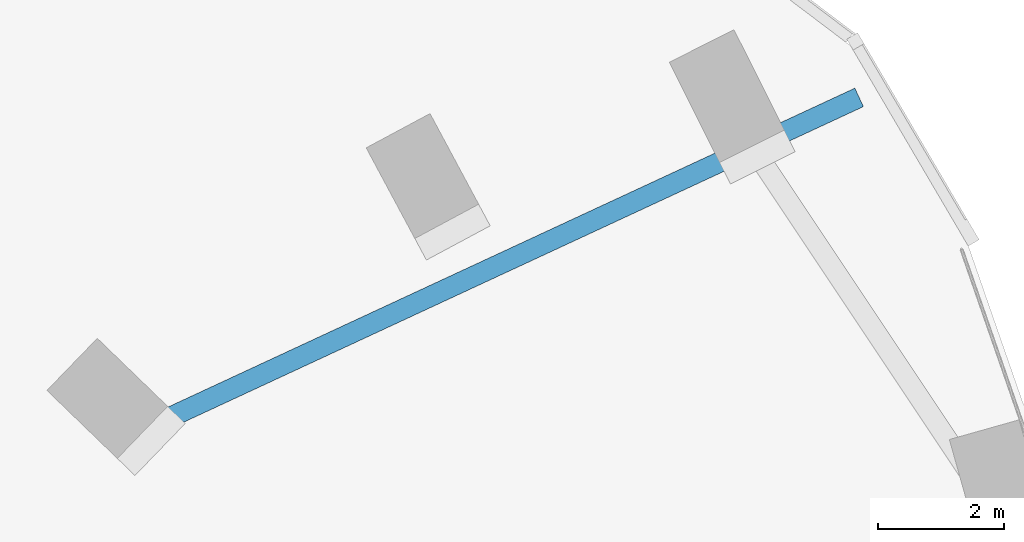
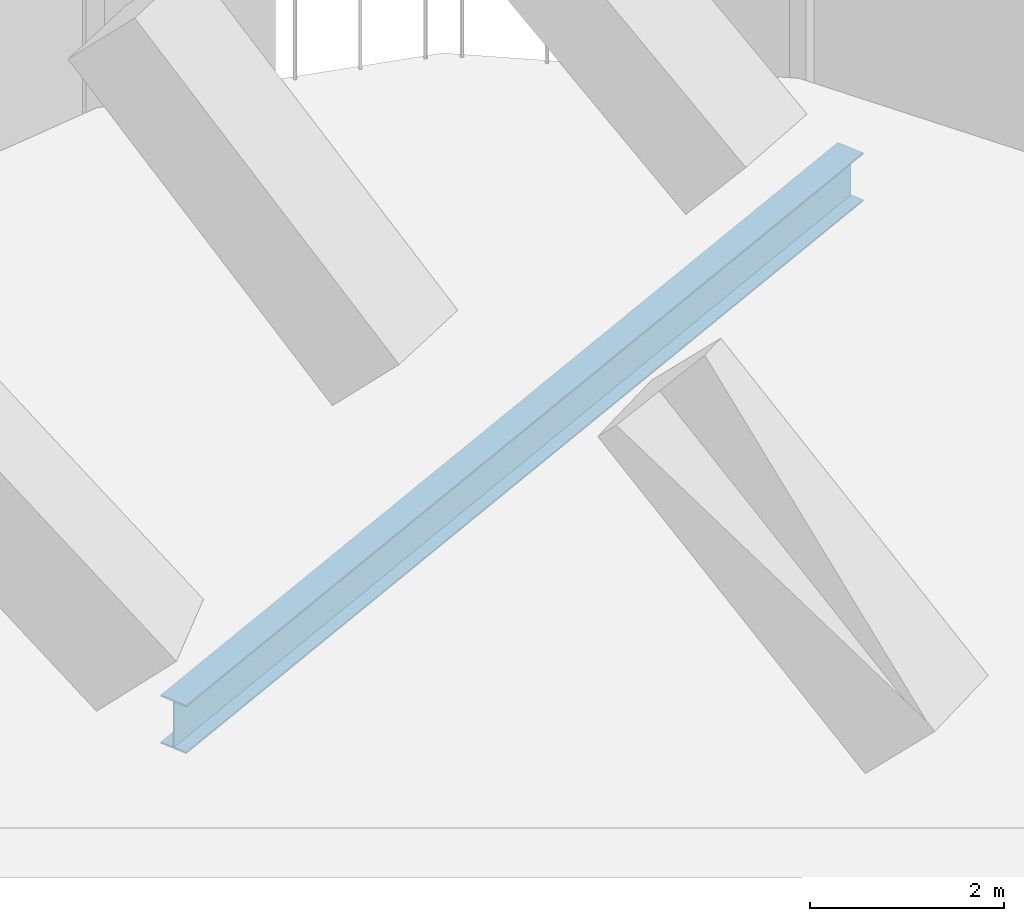
# One storey, part 7 of 26: 1 beam.
"""IFC4 building model written with IfcOpenShell, lengths in metres."""

from ifc_helpers import new_model, si_unit, direction, frame, origin, origin_2d, place, context, subcontext, project, spatial, i_section, extrude, material, material_profile, profile_set, type_object, element, save


model = new_model("IFC4")

# Units and contexts
model_context = context("Model", 3, precision=1e-05, world=origin(), true_north=direction((0.0, 1.0)))
body_context = subcontext(model_context, "Body", "Model", "MODEL_VIEW")
ifc_project = project(units=[si_unit("LENGTHUNIT", "METRE"), si_unit("AREAUNIT", "SQUARE_METRE"), si_unit("VOLUMEUNIT", "CUBIC_METRE"), si_unit("PLANEANGLEUNIT", "RADIAN"), si_unit("MASSUNIT", "GRAM", prefix="KILO")], contexts=[model_context])

# Site, building, storey
site_placement = place(None, origin())
site = spatial("IfcSite", under=ifc_project, at=site_placement, CompositionType="ELEMENT")
building_placement = place(site_placement, origin())
building = spatial("IfcBuilding", under=site, at=building_placement, Name="Orlundy Tower", CompositionType="ELEMENT")
storey_placement = place(building_placement, frame((0.0, 0.0, 228.0)))
storey = spatial("IfcBuildingStorey", under=building, at=storey_placement, Name="L60", CompositionType="ELEMENT", Elevation=228.0)

# Beam
ifc_material = material(Name="Steel ASTM A992 Gr 50", Category="steel")
ifc_material_profile = material_profile(ifc_material, i_section(OverallWidth=0.32373046875, OverallDepth=0.611083984375, WebThickness=0.0126953125, FlangeThickness=0.01904296875, at=origin_2d()), Name="W24X104")
ifc_profile_set = profile_set([ifc_material_profile], Name="Steel ASTM A992 Gr 50")
beam_type = type_object("IfcBeamType", Name="CANTILEVER GIRDER beam W24X104", PredefinedType="BEAM", material=ifc_profile_set)
beam_placement = place(storey_placement, frame((33.06689453125, 25.58984375, -0.7255859375), z_axis=(-0.907021566379, -0.421084169879, 0.0), x_axis=(0.421084169879, -0.907021566379, 0.0)))
element("IfcBeam", 1, at=beam_placement, inside=storey, type_object=beam_type, Name="Cantilever girder C-A5-5 L60", PredefinedType="BEAM", context=body_context, shape_type="SweptSolid", body=[
    extrude(i_section(OverallWidth=0.32373046875, OverallDepth=0.611083984375, WebThickness=0.0126953125, FlangeThickness=0.01904296875, at=origin_2d()), origin(), (0.0, 0.0, 1.0), 12.159423828125),
])

save(model, "model.ifc")
